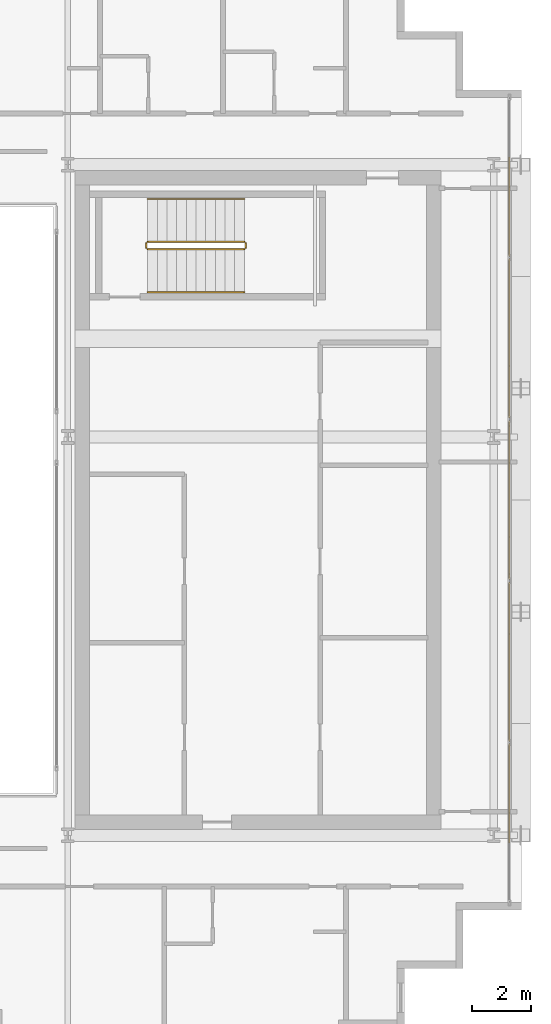
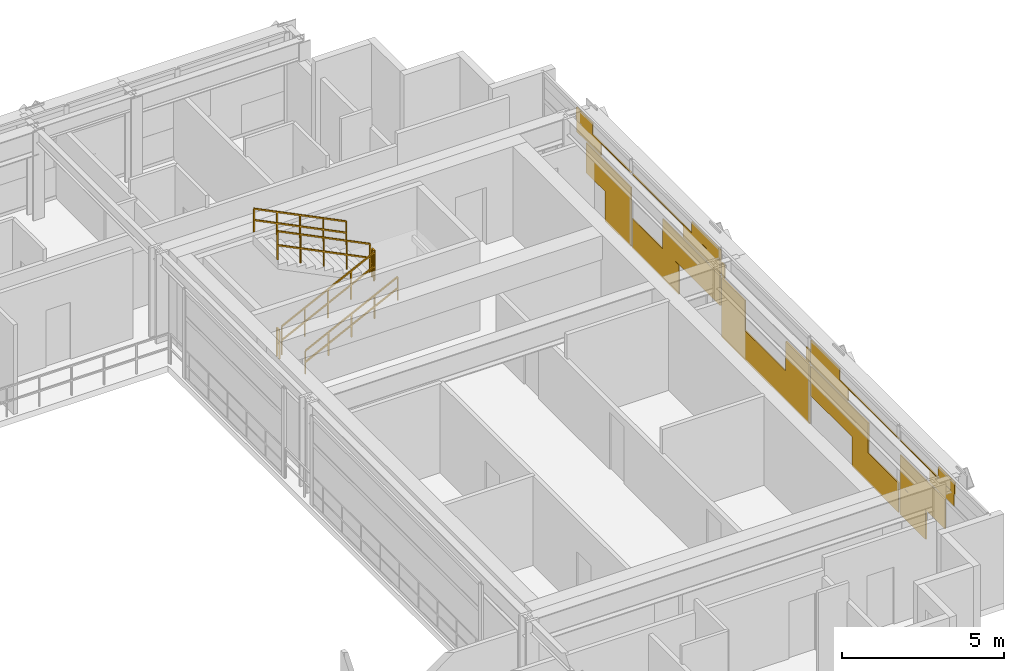
# One storey, part 36 of 37: 6 railings, 1 covering.
"""IFC4 building model written with IfcOpenShell, lengths in metres."""

from ifc_helpers import new_model, si_unit, direction, frame, origin, origin_2d, place, context, subcontext, project, spatial, rectangle, extrude, material, layer, layer_set, type_object, element, save


model = new_model("IFC4")

# Units and contexts
model_context = context("Model", 3, precision=1e-05, world=origin(), true_north=direction((0.0, 1.0)))
body_context = subcontext(model_context, "Body", "Model", "MODEL_VIEW")
ifc_project = project(units=[si_unit("LENGTHUNIT", "METRE"), si_unit("AREAUNIT", "SQUARE_METRE"), si_unit("VOLUMEUNIT", "CUBIC_METRE"), si_unit("PLANEANGLEUNIT", "RADIAN"), si_unit("MASSUNIT", "GRAM", prefix="KILO")], contexts=[model_context])

# Site, building, storey
site_placement = place(None, origin())
site = spatial("IfcSite", under=ifc_project, at=site_placement, CompositionType="ELEMENT")
building_placement = place(site_placement, origin())
building = spatial("IfcBuilding", under=site, at=building_placement, Name="Ocotamira Hotel", CompositionType="ELEMENT")
storey_placement = place(building_placement, frame((0.0, 0.0, 192.0)))
storey = spatial("IfcBuildingStorey", under=building, at=storey_placement, Name="L48", CompositionType="ELEMENT", Elevation=192.0)

# Covering
ifc_material_1 = material(Name="Insulated pale-metal aluminium spandrel panel", Category="aluminium")
ifc_layer = layer(ifc_material_1, 0.044921875)
ifc_layer_set = layer_set([ifc_layer], Name="Insulated pale-metal aluminium spandrel panel")
covering_type = type_object("IfcCoveringType", Name="COV-INFILL-45", PredefinedType="CLADDING", material=ifc_layer_set)
covering_placement = place(storey_placement, origin())
element("IfcCovering", 1, at=covering_placement, inside=storey, type_object=covering_type, Name="L48 Curtain Wall Infill CW-4 CW-L48-E", PredefinedType="CLADDING", context=body_context, shape_type="SweptSolid", body=[
    extrude(rectangle(XDim=2.782958984375, YDim=0.044921875, at=origin_2d()), frame((55.580078125, 16.2880859375, 1.1943359375), z_axis=(0.0, 0.0, 1.0), x_axis=(0.0, 1.0, 0.0)), (0.0, 0.0, 1.0), 1.117919921875),
    extrude(rectangle(XDim=1.596923828125, YDim=0.044921875, at=origin_2d()), frame((55.580078125, 16.881103515625, 0.07568359375), z_axis=(0.0, 0.0, 1.0), x_axis=(0.0, 1.0, 0.0)), (0.0, 0.0, 1.0), 1.117919921875),
    extrude(rectangle(XDim=3.38720703125, YDim=0.044921875, at=origin_2d()), frame((55.580078125, 15.98583984375, 2.848876953125), z_axis=(0.0, 0.0, 1.0), x_axis=(0.0, 1.0, 0.0)), (0.0, 0.0, 1.0), 0.033203125),
    extrude(rectangle(XDim=1.019287109375, YDim=0.044921875, at=origin_2d()), frame((55.580078125, 14.8017578125, 2.883056640625), z_axis=(0.0, 0.0, 1.0), x_axis=(0.0, 1.0, 0.0)), (0.0, 0.0, 1.0), 0.41162109375),
    extrude(rectangle(XDim=1.507568359375, YDim=0.044921875, at=origin_2d()), frame((55.580078125, 15.082275390625, 2.38818359375), z_axis=(0.0, 0.0, 1.0), x_axis=(0.0, 1.0, 0.0)), (0.0, 0.0, 1.0), 0.459716796875),
    extrude(rectangle(XDim=2.89013671875, YDim=0.044921875, at=origin_2d()), frame((55.580078125, 19.20556640625, 0.07568359375), z_axis=(0.0, 0.0, 1.0), x_axis=(0.0, 1.0, 0.0)), (0.0, 0.0, 1.0), 1.117919921875),
    extrude(rectangle(XDim=3.568115234375, YDim=0.044921875, at=origin_2d()), frame((55.580078125, 21.41552734375, 1.1943359375), z_axis=(0.0, 0.0, 1.0), x_axis=(0.0, 1.0, 0.0)), (0.0, 0.0, 1.0), 1.117919921875),
    extrude(rectangle(XDim=5.43896484375, YDim=0.044921875, at=origin_2d()), frame((55.580078125, 20.47998046875, 2.848876953125), z_axis=(0.0, 0.0, 1.0), x_axis=(0.0, 1.0, 0.0)), (0.0, 0.0, 1.0), 0.033203125),
    extrude(rectangle(XDim=2.302490234375, YDim=0.044921875, at=origin_2d()), frame((55.580078125, 22.04833984375, 2.38818359375), z_axis=(0.0, 0.0, 1.0), x_axis=(0.0, 1.0, 0.0)), (0.0, 0.0, 1.0), 0.459716796875),
    extrude(rectangle(XDim=1.777587890625, YDim=0.044921875, at=origin_2d()), frame((55.580078125, 22.310791015625, 2.883056640625), z_axis=(0.0, 0.0, 1.0), x_axis=(0.0, 1.0, 0.0)), (0.0, 0.0, 1.0), 0.41162109375),
    extrude(rectangle(XDim=5.43896484375, YDim=0.044921875, at=origin_2d()), frame((55.580078125, 26.0, 0.07568359375), z_axis=(0.0, 0.0, 1.0), x_axis=(0.0, 1.0, 0.0)), (0.0, 0.0, 1.0), 1.117919921875),
    extrude(rectangle(XDim=1.45458984375, YDim=0.044921875, at=origin_2d()), frame((55.580078125, 24.0078125, 1.1943359375), z_axis=(0.0, 0.0, 1.0), x_axis=(0.0, 1.0, 0.0)), (0.0, 0.0, 1.0), 1.117919921875),
    extrude(rectangle(XDim=1.45458984375, YDim=0.044921875, at=origin_2d()), frame((55.580078125, 27.9921875, 1.1943359375), z_axis=(0.0, 0.0, 1.0), x_axis=(0.0, 1.0, 0.0)), (0.0, 0.0, 1.0), 1.117919921875),
    extrude(rectangle(XDim=0.18896484375, YDim=0.044921875, at=origin_2d()), frame((55.580078125, 23.375, 2.38818359375), z_axis=(0.0, 0.0, 1.0), x_axis=(0.0, 1.0, 0.0)), (0.0, 0.0, 1.0), 0.493896484375),
    extrude(rectangle(XDim=0.18896484375, YDim=0.044921875, at=origin_2d()), frame((55.580078125, 28.625, 2.38818359375), z_axis=(0.0, 0.0, 1.0), x_axis=(0.0, 1.0, 0.0)), (0.0, 0.0, 1.0), 0.493896484375),
    extrude(rectangle(XDim=3.568115234375, YDim=0.044921875, at=origin_2d()), frame((55.580078125, 30.58447265625, 1.1943359375), z_axis=(0.0, 0.0, 1.0), x_axis=(0.0, 1.0, 0.0)), (0.0, 0.0, 1.0), 1.117919921875),
    extrude(rectangle(XDim=2.89013671875, YDim=0.044921875, at=origin_2d()), frame((55.580078125, 32.79443359375, 0.07568359375), z_axis=(0.0, 0.0, 1.0), x_axis=(0.0, 1.0, 0.0)), (0.0, 0.0, 1.0), 1.117919921875),
    extrude(rectangle(XDim=2.302490234375, YDim=0.044921875, at=origin_2d()), frame((55.580078125, 29.95166015625, 2.38818359375), z_axis=(0.0, 0.0, 1.0), x_axis=(0.0, 1.0, 0.0)), (0.0, 0.0, 1.0), 0.459716796875),
    extrude(rectangle(XDim=5.43896484375, YDim=0.044921875, at=origin_2d()), frame((55.580078125, 31.52001953125, 2.848876953125), z_axis=(0.0, 0.0, 1.0), x_axis=(0.0, 1.0, 0.0)), (0.0, 0.0, 1.0), 0.033203125),
    extrude(rectangle(XDim=1.777587890625, YDim=0.044921875, at=origin_2d()), frame((55.580078125, 29.689208984375, 2.883056640625), z_axis=(0.0, 0.0, 1.0), x_axis=(0.0, 1.0, 0.0)), (0.0, 0.0, 1.0), 0.41162109375),
    extrude(rectangle(XDim=1.596923828125, YDim=0.044921875, at=origin_2d()), frame((55.580078125, 35.118896484375, 0.07568359375), z_axis=(0.0, 0.0, 1.0), x_axis=(0.0, 1.0, 0.0)), (0.0, 0.0, 1.0), 1.117919921875),
    extrude(rectangle(XDim=2.782958984375, YDim=0.044921875, at=origin_2d()), frame((55.580078125, 35.7119140625, 1.1943359375), z_axis=(0.0, 0.0, 1.0), x_axis=(0.0, 1.0, 0.0)), (0.0, 0.0, 1.0), 1.117919921875),
    extrude(rectangle(XDim=3.38720703125, YDim=0.044921875, at=origin_2d()), frame((55.580078125, 36.01416015625, 2.848876953125), z_axis=(0.0, 0.0, 1.0), x_axis=(0.0, 1.0, 0.0)), (0.0, 0.0, 1.0), 0.033203125),
    extrude(rectangle(XDim=1.507568359375, YDim=0.044921875, at=origin_2d()), frame((55.580078125, 36.917724609375, 2.38818359375), z_axis=(0.0, 0.0, 1.0), x_axis=(0.0, 1.0, 0.0)), (0.0, 0.0, 1.0), 0.459716796875),
    extrude(rectangle(XDim=1.019287109375, YDim=0.044921875, at=origin_2d()), frame((55.580078125, 37.1982421875, 2.883056640625), z_axis=(0.0, 0.0, 1.0), x_axis=(0.0, 1.0, 0.0)), (0.0, 0.0, 1.0), 0.41162109375),
])

# Railings
ifc_material_2 = material(Name="Brushed stainless steel handrail", Category="steel")
railing_type_1 = type_object("IfcRailingType", Name="RL-HAND-900", PredefinedType="HANDRAIL", material=ifc_material_2)
railing_1_placement = place(storey_placement, frame((43.22998046875, 33.10009765625, 0.327392578125)))
element("IfcRailing", 2, at=railing_1_placement, inside=storey, type_object=railing_type_1, Name="L48 ST-4 stair handrail 1", PredefinedType="HANDRAIL", context=body_context, shape_type="SweptSolid", body=[
    extrude(rectangle(XDim=0.048095703125, YDim=0.048095703125, at=origin_2d()), frame((0.0, 0.0, 0.8759765625), z_axis=(0.895920123917, 0.0, 0.444215186098), x_axis=(0.0, 1.0, 0.0)), (0.0, 0.0, 1.0), 3.683349609375),
    extrude(rectangle(XDim=0.048095703125, YDim=0.048095703125, at=origin_2d()), frame((0.0, 0.0, 0.449951171875), z_axis=(0.895920123917, 0.0, 0.444215186098), x_axis=(0.0, 1.0, 0.0)), (0.0, 0.0, 1.0), 3.683349609375),
    extrude(rectangle(XDim=0.0419921875, YDim=0.0419921875, at=origin_2d()), origin(), (0.0, 0.0, 1.0), 0.851806640625),
    extrude(rectangle(XDim=0.0419921875, YDim=0.0419921875, at=origin_2d()), frame((0.824951171875, 0.0, 0.4091796875)), (0.0, 0.0, 1.0), 0.851806640625),
    extrude(rectangle(XDim=0.0419921875, YDim=0.0419921875, at=origin_2d()), frame((1.64990234375, 0.0, 0.818115234375)), (0.0, 0.0, 1.0), 0.851806640625),
    extrude(rectangle(XDim=0.0419921875, YDim=0.0419921875, at=origin_2d()), frame((2.47509765625, 0.0, 1.22705078125)), (0.0, 0.0, 1.0), 0.851806640625),
    extrude(rectangle(XDim=0.0419921875, YDim=0.0419921875, at=origin_2d()), frame((3.300048828125, 0.0, 1.63623046875)), (0.0, 0.0, 1.0), 0.851806640625),
])
railing_2_placement = place(storey_placement, frame((46.530029296875, 36.280029296875, 2.127197265625)))
element("IfcRailing", 3, at=railing_2_placement, inside=storey, type_object=railing_type_1, Name="L48 ST-4 stair handrail 2", PredefinedType="HANDRAIL", context=body_context, shape_type="SweptSolid", body=[
    extrude(rectangle(XDim=0.048095703125, YDim=0.048095703125, at=origin_2d()), frame((0.0, 0.0, 0.8759765625), z_axis=(-0.895893744519, 0.0, 0.4442683857), x_axis=(0.0, -1.0, 0.0)), (0.0, 0.0, 1.0), 3.68359375),
    extrude(rectangle(XDim=0.048095703125, YDim=0.048095703125, at=origin_2d()), frame((0.0, 0.0, 0.449951171875), z_axis=(-0.895893744519, 0.0, 0.4442683857), x_axis=(0.0, -1.0, 0.0)), (0.0, 0.0, 1.0), 3.68359375),
    extrude(rectangle(XDim=0.0419921875, YDim=0.0419921875, at=origin_2d()), origin(), (0.0, 0.0, 1.0), 0.851806640625),
    extrude(rectangle(XDim=0.0419921875, YDim=0.0419921875, at=origin_2d()), frame((-0.824951171875, 0.0, 0.4091796875)), (0.0, 0.0, 1.0), 0.851806640625),
    extrude(rectangle(XDim=0.0419921875, YDim=0.0419921875, at=origin_2d()), frame((-1.64990234375, 0.0, 0.818359375)), (0.0, 0.0, 1.0), 0.851806640625),
    extrude(rectangle(XDim=0.0419921875, YDim=0.0419921875, at=origin_2d()), frame((-2.47509765625, 0.0, 1.227294921875)), (0.0, 0.0, 1.0), 0.851806640625),
    extrude(rectangle(XDim=0.0419921875, YDim=0.0419921875, at=origin_2d()), frame((-3.300048828125, 0.0, 1.636474609375)), (0.0, 0.0, 1.0), 0.851806640625),
])
ifc_material_3 = material(Name="Painted steel stair guardrail", Category="steel")
railing_type_2 = type_object("IfcRailingType", Name="RL-STAIR-1100", PredefinedType="GUARDRAIL", material=ifc_material_3)
railing_3_placement = place(storey_placement, frame((43.22998046875, 34.56005859375, 0.16357421875)))
element("IfcRailing", 4, at=railing_3_placement, inside=storey, type_object=railing_type_2, Name="L48 ST-4 stair guard 1", PredefinedType="GUARDRAIL", context=body_context, shape_type="SweptSolid", body=[
    extrude(rectangle(XDim=0.048095703125, YDim=0.048095703125, at=origin_2d()), frame((0.0, 0.0, 1.076171875), z_axis=(0.895893744519, 0.0, 0.4442683857), x_axis=(0.0, 1.0, 0.0)), (0.0, 0.0, 1.0), 3.68359375),
    extrude(rectangle(XDim=0.048095703125, YDim=0.048095703125, at=origin_2d()), frame((0.0, 0.0, 0.550048828125), z_axis=(0.895893744519, 0.0, 0.4442683857), x_axis=(0.0, 1.0, 0.0)), (0.0, 0.0, 1.0), 3.68359375),
    extrude(rectangle(XDim=0.0419921875, YDim=0.0419921875, at=origin_2d()), origin(), (0.0, 0.0, 1.0), 1.052001953125),
    extrude(rectangle(XDim=0.0419921875, YDim=0.0419921875, at=origin_2d()), frame((0.824951171875, 0.0, 0.4091796875)), (0.0, 0.0, 1.0), 1.052001953125),
    extrude(rectangle(XDim=0.0419921875, YDim=0.0419921875, at=origin_2d()), frame((1.64990234375, 0.0, 0.818359375)), (0.0, 0.0, 1.0), 1.052001953125),
    extrude(rectangle(XDim=0.0419921875, YDim=0.0419921875, at=origin_2d()), frame((2.47509765625, 0.0, 1.227294921875)), (0.0, 0.0, 1.0), 1.052001953125),
    extrude(rectangle(XDim=0.0419921875, YDim=0.0419921875, at=origin_2d()), frame((3.300048828125, 0.0, 1.636474609375)), (0.0, 0.0, 1.0), 1.052001953125),
])
railing_4_placement = place(storey_placement, frame((46.580078125, 34.610107421875, 1.800048828125)))
element("IfcRailing", 5, at=railing_4_placement, inside=storey, type_object=railing_type_2, Name="L48 ST-4 stair guard 2", PredefinedType="GUARDRAIL", context=body_context, shape_type="SweptSolid", body=[
    extrude(rectangle(XDim=0.048095703125, YDim=0.048095703125, at=origin_2d()), frame((0.0, 0.0, 1.076171875), z_axis=(0.0, 1.0, 0.0), x_axis=(-1.0, 0.0, 0.0)), (0.0, 0.0, 1.0), 0.159912109375),
    extrude(rectangle(XDim=0.048095703125, YDim=0.048095703125, at=origin_2d()), frame((0.0, 0.0, 0.550048828125), z_axis=(0.0, 1.0, 0.0), x_axis=(-1.0, 0.0, 0.0)), (0.0, 0.0, 1.0), 0.159912109375),
    extrude(rectangle(XDim=0.0419921875, YDim=0.0419921875, at=origin_2d()), origin(), (0.0, 0.0, 1.0), 1.052001953125),
    extrude(rectangle(XDim=0.0419921875, YDim=0.0419921875, at=origin_2d()), frame((0.0, 0.159912109375, 0.0)), (0.0, 0.0, 1.0), 1.052001953125),
])
railing_5_placement = place(storey_placement, frame((46.530029296875, 34.820068359375, 1.963623046875)))
element("IfcRailing", 6, at=railing_5_placement, inside=storey, type_object=railing_type_2, Name="L48 ST-4 stair guard 3", PredefinedType="GUARDRAIL", context=body_context, shape_type="SweptSolid", body=[
    extrude(rectangle(XDim=0.048095703125, YDim=0.048095703125, at=origin_2d()), frame((0.0, 0.0, 1.076171875), z_axis=(-0.895893744519, 0.0, 0.4442683857), x_axis=(0.0, -1.0, 0.0)), (0.0, 0.0, 1.0), 3.68359375),
    extrude(rectangle(XDim=0.048095703125, YDim=0.048095703125, at=origin_2d()), frame((0.0, 0.0, 0.550048828125), z_axis=(-0.895893744519, 0.0, 0.4442683857), x_axis=(0.0, -1.0, 0.0)), (0.0, 0.0, 1.0), 3.68359375),
    extrude(rectangle(XDim=0.0419921875, YDim=0.0419921875, at=origin_2d()), origin(), (0.0, 0.0, 1.0), 1.052001953125),
    extrude(rectangle(XDim=0.0419921875, YDim=0.0419921875, at=origin_2d()), frame((-0.824951171875, 0.0, 0.4091796875)), (0.0, 0.0, 1.0), 1.052001953125),
    extrude(rectangle(XDim=0.0419921875, YDim=0.0419921875, at=origin_2d()), frame((-1.64990234375, 0.0, 0.818359375)), (0.0, 0.0, 1.0), 1.052001953125),
    extrude(rectangle(XDim=0.0419921875, YDim=0.0419921875, at=origin_2d()), frame((-2.47509765625, 0.0, 1.227294921875)), (0.0, 0.0, 1.0), 1.052001953125),
    extrude(rectangle(XDim=0.0419921875, YDim=0.0419921875, at=origin_2d()), frame((-3.300048828125, 0.0, 1.636474609375)), (0.0, 0.0, 1.0), 1.052001953125),
])
railing_6_placement = place(storey_placement, frame((43.179931640625, 34.610107421875, 0.0)))
element("IfcRailing", 7, at=railing_6_placement, inside=storey, type_object=railing_type_2, Name="L48 ST-4 stair guard 4", PredefinedType="GUARDRAIL", context=body_context, shape_type="SweptSolid", body=[
    extrude(rectangle(XDim=0.048095703125, YDim=0.048095703125, at=origin_2d()), frame((0.0, 0.0, 1.076171875), z_axis=(0.0, 1.0, 0.0), x_axis=(-1.0, 0.0, 0.0)), (0.0, 0.0, 1.0), 0.159912109375),
    extrude(rectangle(XDim=0.048095703125, YDim=0.048095703125, at=origin_2d()), frame((0.0, 0.0, 0.550048828125), z_axis=(0.0, 1.0, 0.0), x_axis=(-1.0, 0.0, 0.0)), (0.0, 0.0, 1.0), 0.159912109375),
    extrude(rectangle(XDim=0.0419921875, YDim=0.0419921875, at=origin_2d()), origin(), (0.0, 0.0, 1.0), 1.052001953125),
    extrude(rectangle(XDim=0.0419921875, YDim=0.0419921875, at=origin_2d()), frame((0.0, 0.159912109375, 0.0)), (0.0, 0.0, 1.0), 1.052001953125),
])

save(model, "model.ifc")
